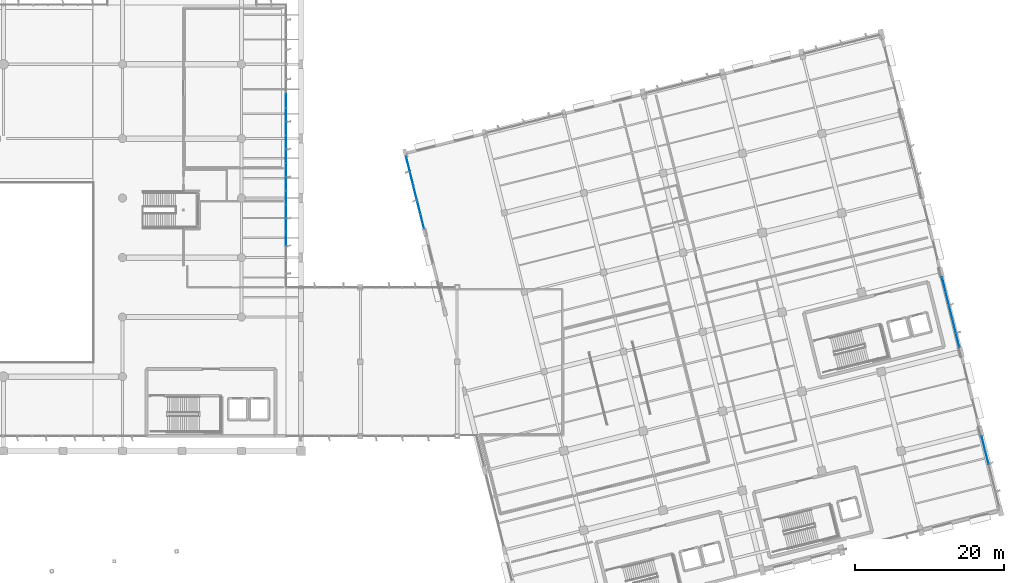
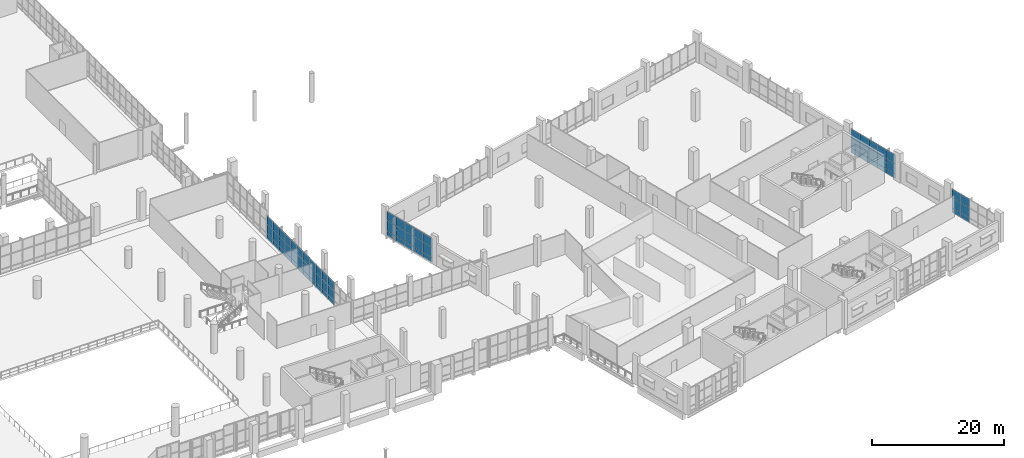
# One storey, part 129 of 176: 69 plates, 5 elements without a shape of their own.
"""IFC4 building model written with IfcOpenShell, lengths in metres."""

from ifc_helpers import new_model, si_unit, direction, frame, origin, origin_2d, place, context, subcontext, project, spatial, rectangle, extrude, material, layer, layer_set, type_object, element, aggregate, save


model = new_model("IFC4")

# Units and contexts
model_context = context("Model", 3, precision=1e-05, world=origin(), true_north=direction((0.0, 1.0)))
body_context = subcontext(model_context, "Body", "Model", "MODEL_VIEW")
ifc_project = project(units=[si_unit("LENGTHUNIT", "METRE"), si_unit("AREAUNIT", "SQUARE_METRE"), si_unit("VOLUMEUNIT", "CUBIC_METRE"), si_unit("PLANEANGLEUNIT", "RADIAN"), si_unit("MASSUNIT", "GRAM", prefix="KILO")], contexts=[model_context])

# Site, building, storey
site_placement = place(None, origin())
site = spatial("IfcSite", under=ifc_project, at=site_placement, CompositionType="ELEMENT")
building_placement = place(site_placement, origin())
building = spatial("IfcBuilding", under=site, at=building_placement, Name="Khorjan Park Terminus", CompositionType="ELEMENT")
storey_placement = place(building_placement, frame((0.0, 0.0, 6.0)))
storey = spatial("IfcBuildingStorey", under=building, at=storey_placement, Name="L01", CompositionType="ELEMENT", Elevation=6.0)

# Curtain wall, plates
ifc_material_1 = material(Name="Anodized Bronze Aluminium", Category="aluminium")
ifc_layer_1 = layer(ifc_material_1, 0.22)
ifc_layer_set_1 = layer_set([ifc_layer_1], Name="Anodized Bronze Aluminium")
curtain_wall_type_1 = type_object("IfcCurtainWallType", Name="CW-OPS-B", PredefinedType="NOTDEFINED", material=ifc_layer_set_1)
curtain_wall_1_placement = place(storey_placement, origin())
curtain_wall_1 = element("IfcCurtainWall", 1, at=curtain_wall_1_placement, inside=storey, type_object=curtain_wall_type_1, Name="Unitized curtain wall CW-B (CW-V5-E-L01-B03)", PredefinedType="NOTDEFINED")
ifc_material_2 = material(Name="Low-E Solar Control Double Glazing", Category="glass")
ifc_layer_2 = layer(ifc_material_2, 0.032)
ifc_layer_set_2 = layer_set([ifc_layer_2], Name="Low-E Solar Control Double Glazing")
plate_type_1 = type_object("IfcPlateType", Name="GL-VIS-32", PredefinedType="CURTAIN_PANEL", material=ifc_layer_set_2)
plate_1_placement = place(storey_placement, frame((224.3195, 40.9083, 0.85), z_axis=(0.0, 0.0, 1.0), x_axis=(-0.241922975976, 0.970295456907, 0.0)))
plate_1 = element("IfcPlate", 2, at=plate_1_placement, type_object=plate_type_1, Name="Curtain-wall panel VP-32 (CW-V5-E-L01-B03-0-2)", PredefinedType="CURTAIN_PANEL", context=body_context, shape_type="SweptSolid", body=[
    extrude(rectangle(XDim=1.9281, YDim=0.032, at=origin_2d()), origin(), (0.0, 0.0, 1.0), 1.8935),
])
plate_2_placement = place(storey_placement, frame((224.3195, 40.9083, 2.7434), z_axis=(0.0, 0.0, 1.0), x_axis=(-0.241922975976, 0.970295456907, 0.0)))
plate_2 = element("IfcPlate", 3, at=plate_2_placement, type_object=plate_type_1, Name="Curtain-wall panel VP-32 (CW-V5-E-L01-B03-0-3)", PredefinedType="CURTAIN_PANEL", context=body_context, shape_type="SweptSolid", body=[
    extrude(rectangle(XDim=1.9281, YDim=0.032, at=origin_2d()), origin(), (0.0, 0.0, 1.0), 1.6915),
])
plate_3_placement = place(storey_placement, frame((223.8531, 42.7792, 0.85), z_axis=(0.0, 0.0, 1.0), x_axis=(-0.241922975976, 0.970295456907, 0.0)))
plate_3 = element("IfcPlate", 4, at=plate_3_placement, type_object=plate_type_1, Name="Curtain-wall panel VP-32 (CW-V5-E-L01-B03-1-2)", PredefinedType="CURTAIN_PANEL", context=body_context, shape_type="SweptSolid", body=[
    extrude(rectangle(XDim=1.9281, YDim=0.032, at=origin_2d()), origin(), (0.0, 0.0, 1.0), 1.8935),
])
plate_4_placement = place(storey_placement, frame((223.8531, 42.7792, 2.7434), z_axis=(0.0, 0.0, 1.0), x_axis=(-0.241922975976, 0.970295456907, 0.0)))
plate_4 = element("IfcPlate", 5, at=plate_4_placement, type_object=plate_type_1, Name="Curtain-wall panel VP-32 (CW-V5-E-L01-B03-1-3)", PredefinedType="CURTAIN_PANEL", context=body_context, shape_type="SweptSolid", body=[
    extrude(rectangle(XDim=1.9281, YDim=0.032, at=origin_2d()), origin(), (0.0, 0.0, 1.0), 1.6915),
])
plate_5_placement = place(storey_placement, frame((223.3867, 44.6501, 0.85), z_axis=(0.0, 0.0, 1.0), x_axis=(-0.241922975976, 0.970295456907, 0.0)))
plate_5 = element("IfcPlate", 6, at=plate_5_placement, type_object=plate_type_1, Name="Curtain-wall panel VP-32 (CW-V5-E-L01-B03-2-2)", PredefinedType="CURTAIN_PANEL", context=body_context, shape_type="SweptSolid", body=[
    extrude(rectangle(XDim=1.9281, YDim=0.032, at=origin_2d()), origin(), (0.0, 0.0, 1.0), 1.8935),
])
plate_6_placement = place(storey_placement, frame((223.3867, 44.6501, 2.7434), z_axis=(0.0, 0.0, 1.0), x_axis=(-0.241922975976, 0.970295456907, 0.0)))
plate_6 = element("IfcPlate", 7, at=plate_6_placement, type_object=plate_type_1, Name="Curtain-wall panel VP-32 (CW-V5-E-L01-B03-2-3)", PredefinedType="CURTAIN_PANEL", context=body_context, shape_type="SweptSolid", body=[
    extrude(rectangle(XDim=1.9281, YDim=0.032, at=origin_2d()), origin(), (0.0, 0.0, 1.0), 1.6915),
])
plate_7_placement = place(storey_placement, frame((222.9202, 46.5209, 0.85), z_axis=(0.0, 0.0, 1.0), x_axis=(-0.241922975976, 0.970295456907, 0.0)))
plate_7 = element("IfcPlate", 8, at=plate_7_placement, type_object=plate_type_1, Name="Curtain-wall panel VP-32 (CW-V5-E-L01-B03-3-2)", PredefinedType="CURTAIN_PANEL", context=body_context, shape_type="SweptSolid", body=[
    extrude(rectangle(XDim=1.9281, YDim=0.032, at=origin_2d()), origin(), (0.0, 0.0, 1.0), 1.8935),
])
plate_8_placement = place(storey_placement, frame((222.9202, 46.5209, 2.7434), z_axis=(0.0, 0.0, 1.0), x_axis=(-0.241922975976, 0.970295456907, 0.0)))
plate_8 = element("IfcPlate", 9, at=plate_8_placement, type_object=plate_type_1, Name="Curtain-wall panel VP-32 (CW-V5-E-L01-B03-3-3)", PredefinedType="CURTAIN_PANEL", context=body_context, shape_type="SweptSolid", body=[
    extrude(rectangle(XDim=1.9281, YDim=0.032, at=origin_2d()), origin(), (0.0, 0.0, 1.0), 1.6915),
])
plate_9_placement = place(storey_placement, frame((222.4538, 48.3918, 0.85), z_axis=(0.0, 0.0, 1.0), x_axis=(-0.241922975976, 0.970295456907, 0.0)))
plate_9 = element("IfcPlate", 10, at=plate_9_placement, type_object=plate_type_1, Name="Curtain-wall panel VP-32 (CW-V5-E-L01-B03-4-2)", PredefinedType="CURTAIN_PANEL", context=body_context, shape_type="SweptSolid", body=[
    extrude(rectangle(XDim=1.9281, YDim=0.032, at=origin_2d()), origin(), (0.0, 0.0, 1.0), 1.8935),
])
plate_10_placement = place(storey_placement, frame((222.4538, 48.3918, 2.7434), z_axis=(0.0, 0.0, 1.0), x_axis=(-0.241922975976, 0.970295456907, 0.0)))
plate_10 = element("IfcPlate", 11, at=plate_10_placement, type_object=plate_type_1, Name="Curtain-wall panel VP-32 (CW-V5-E-L01-B03-4-3)", PredefinedType="CURTAIN_PANEL", context=body_context, shape_type="SweptSolid", body=[
    extrude(rectangle(XDim=1.9281, YDim=0.032, at=origin_2d()), origin(), (0.0, 0.0, 1.0), 1.6915),
])

curtain_wall_2_placement = place(storey_placement, origin())
curtain_wall_2 = element("IfcCurtainWall", 12, at=curtain_wall_2_placement, inside=storey, type_object=curtain_wall_type_1, Name="Unitized curtain wall CW-B (CW-V5-E-L01-B01)", PredefinedType="NOTDEFINED")
ifc_material_3 = material(Name="Acoustic Laminated Solar Glazing", Category="glass")
ifc_layer_3 = layer(ifc_material_3, 0.036)
ifc_layer_set_3 = layer_set([ifc_layer_3], Name="Acoustic Laminated Solar Glazing")
plate_type_2 = type_object("IfcPlateType", Name="GL-VIS-36", PredefinedType="CURTAIN_PANEL", material=ifc_layer_set_3)
plate_11_placement = place(storey_placement, frame((228.2425, 25.1743, 0.8499), z_axis=(0.0, 0.0, 1.0), x_axis=(-0.241920488516, 0.9702960771, 0.0)))
plate_11 = element("IfcPlate", 13, at=plate_11_placement, type_object=plate_type_2, Name="Curtain-wall panel VP-36 (CW-V5-E-L01-B01-3-2)", PredefinedType="CURTAIN_PANEL", context=body_context, shape_type="SweptSolid", body=[
    extrude(rectangle(XDim=1.928, YDim=0.036, at=origin_2d()), origin(), (0.0, 0.0, 1.0), 1.8687),
])
plate_12_placement = place(storey_placement, frame((228.2425, 25.1743, 2.7188), z_axis=(0.0, 0.0, 1.0), x_axis=(-0.241920488516, 0.9702960771, 0.0)))
plate_12 = element("IfcPlate", 14, at=plate_12_placement, type_object=plate_type_2, Name="Curtain-wall panel VP-36 (CW-V5-E-L01-B01-3-3)", PredefinedType="CURTAIN_PANEL", context=body_context, shape_type="SweptSolid", body=[
    extrude(rectangle(XDim=1.928, YDim=0.036, at=origin_2d()), origin(), (0.0, 0.0, 1.0), 1.6763),
])
plate_13_placement = place(storey_placement, frame((227.7761, 27.045, 0.8499), z_axis=(0.0, 0.0, 1.0), x_axis=(-0.241920488516, 0.9702960771, 0.0)))
plate_13 = element("IfcPlate", 15, at=plate_13_placement, type_object=plate_type_2, Name="Curtain-wall panel VP-36 (CW-V5-E-L01-B01-4-2)", PredefinedType="CURTAIN_PANEL", context=body_context, shape_type="SweptSolid", body=[
    extrude(rectangle(XDim=1.928, YDim=0.036, at=origin_2d()), origin(), (0.0, 0.0, 1.0), 1.8687),
])
plate_14_placement = place(storey_placement, frame((227.7761, 27.045, 2.7188), z_axis=(0.0, 0.0, 1.0), x_axis=(-0.241920488516, 0.9702960771, 0.0)))
plate_14 = element("IfcPlate", 16, at=plate_14_placement, type_object=plate_type_2, Name="Curtain-wall panel VP-36 (CW-V5-E-L01-B01-4-3)", PredefinedType="CURTAIN_PANEL", context=body_context, shape_type="SweptSolid", body=[
    extrude(rectangle(XDim=1.928, YDim=0.036, at=origin_2d()), origin(), (0.0, 0.0, 1.0), 1.6763),
])

curtain_wall_3_placement = place(storey_placement, origin())
curtain_wall_3 = element("IfcCurtainWall", 17, at=curtain_wall_3_placement, inside=storey, type_object=curtain_wall_type_1, Name="Unitized curtain wall CW-B (CW-V5-W-L01-B01)", PredefinedType="NOTDEFINED")
plate_15_placement = place(storey_placement, frame((150.4018, 64.5613, 0.8501), z_axis=(0.0, 0.0, 1.0), x_axis=(0.241913063893, -0.970297928225, 0.0)))
plate_15 = element("IfcPlate", 18, at=plate_15_placement, type_object=plate_type_2, Name="Curtain-wall panel VP-36 (CW-V5-W-L01-B01-0-2)", PredefinedType="CURTAIN_PANEL", context=body_context, shape_type="SweptSolid", body=[
    extrude(rectangle(XDim=1.9882, YDim=0.036, at=origin_2d()), origin(), (0.0, 0.0, 1.0), 1.9431),
])
plate_16_placement = place(storey_placement, frame((150.4018, 64.5613, 2.7931), z_axis=(0.0, 0.0, 1.0), x_axis=(0.241913063893, -0.970297928225, 0.0)))
plate_16 = element("IfcPlate", 19, at=plate_16_placement, type_object=plate_type_2, Name="Curtain-wall panel VP-36 (CW-V5-W-L01-B01-0-3)", PredefinedType="CURTAIN_PANEL", context=body_context, shape_type="SweptSolid", body=[
    extrude(rectangle(XDim=1.9882, YDim=0.036, at=origin_2d()), origin(), (0.0, 0.0, 1.0), 1.7219),
])
plate_17_placement = place(storey_placement, frame((150.8827, 62.6321, 0.8501), z_axis=(0.0, 0.0, 1.0), x_axis=(0.241913063893, -0.970297928225, 0.0)))
plate_17 = element("IfcPlate", 20, at=plate_17_placement, type_object=plate_type_2, Name="Curtain-wall panel VP-36 (CW-V5-W-L01-B01-1-2)", PredefinedType="CURTAIN_PANEL", context=body_context, shape_type="SweptSolid", body=[
    extrude(rectangle(XDim=1.9882, YDim=0.036, at=origin_2d()), origin(), (0.0, 0.0, 1.0), 1.9431),
])
plate_18_placement = place(storey_placement, frame((150.8827, 62.6321, 2.7931), z_axis=(0.0, 0.0, 1.0), x_axis=(0.241913063893, -0.970297928225, 0.0)))
plate_18 = element("IfcPlate", 21, at=plate_18_placement, type_object=plate_type_2, Name="Curtain-wall panel VP-36 (CW-V5-W-L01-B01-1-3)", PredefinedType="CURTAIN_PANEL", context=body_context, shape_type="SweptSolid", body=[
    extrude(rectangle(XDim=1.9882, YDim=0.036, at=origin_2d()), origin(), (0.0, 0.0, 1.0), 1.7219),
])
plate_19_placement = place(storey_placement, frame((151.3637, 60.7031, 0.8501), z_axis=(0.0, 0.0, 1.0), x_axis=(0.241913063893, -0.970297928225, 0.0)))
plate_19 = element("IfcPlate", 22, at=plate_19_placement, type_object=plate_type_2, Name="Curtain-wall panel VP-36 (CW-V5-W-L01-B01-2-2)", PredefinedType="CURTAIN_PANEL", context=body_context, shape_type="SweptSolid", body=[
    extrude(rectangle(XDim=1.9882, YDim=0.036, at=origin_2d()), origin(), (0.0, 0.0, 1.0), 1.9431),
])
plate_20_placement = place(storey_placement, frame((151.3637, 60.7031, 2.7931), z_axis=(0.0, 0.0, 1.0), x_axis=(0.241913063893, -0.970297928225, 0.0)))
plate_20 = element("IfcPlate", 23, at=plate_20_placement, type_object=plate_type_2, Name="Curtain-wall panel VP-36 (CW-V5-W-L01-B01-2-3)", PredefinedType="CURTAIN_PANEL", context=body_context, shape_type="SweptSolid", body=[
    extrude(rectangle(XDim=1.9882, YDim=0.036, at=origin_2d()), origin(), (0.0, 0.0, 1.0), 1.7219),
])
plate_21_placement = place(storey_placement, frame((151.8447, 58.7739, 0.8501), z_axis=(0.0, 0.0, 1.0), x_axis=(0.241913063893, -0.970297928225, 0.0)))
plate_21 = element("IfcPlate", 24, at=plate_21_placement, type_object=plate_type_2, Name="Curtain-wall panel VP-36 (CW-V5-W-L01-B01-3-2)", PredefinedType="CURTAIN_PANEL", context=body_context, shape_type="SweptSolid", body=[
    extrude(rectangle(XDim=1.9882, YDim=0.036, at=origin_2d()), origin(), (0.0, 0.0, 1.0), 1.9431),
])
plate_22_placement = place(storey_placement, frame((151.8447, 58.7739, 2.7931), z_axis=(0.0, 0.0, 1.0), x_axis=(0.241913063893, -0.970297928225, 0.0)))
plate_22 = element("IfcPlate", 25, at=plate_22_placement, type_object=plate_type_2, Name="Curtain-wall panel VP-36 (CW-V5-W-L01-B01-3-3)", PredefinedType="CURTAIN_PANEL", context=body_context, shape_type="SweptSolid", body=[
    extrude(rectangle(XDim=1.9882, YDim=0.036, at=origin_2d()), origin(), (0.0, 0.0, 1.0), 1.7219),
])
plate_23_placement = place(storey_placement, frame((152.3256, 56.8448, 0.8501), z_axis=(0.0, 0.0, 1.0), x_axis=(0.241913063893, -0.970297928225, 0.0)))
plate_23 = element("IfcPlate", 26, at=plate_23_placement, type_object=plate_type_2, Name="Curtain-wall panel VP-36 (CW-V5-W-L01-B01-4-2)", PredefinedType="CURTAIN_PANEL", context=body_context, shape_type="SweptSolid", body=[
    extrude(rectangle(XDim=1.9882, YDim=0.036, at=origin_2d()), origin(), (0.0, 0.0, 1.0), 1.9431),
])
plate_24_placement = place(storey_placement, frame((152.3256, 56.8448, 2.7931), z_axis=(0.0, 0.0, 1.0), x_axis=(0.241913063893, -0.970297928225, 0.0)))
plate_24 = element("IfcPlate", 27, at=plate_24_placement, type_object=plate_type_2, Name="Curtain-wall panel VP-36 (CW-V5-W-L01-B01-4-3)", PredefinedType="CURTAIN_PANEL", context=body_context, shape_type="SweptSolid", body=[
    extrude(rectangle(XDim=1.9882, YDim=0.036, at=origin_2d()), origin(), (0.0, 0.0, 1.0), 1.7219),
])

ifc_layer_4 = layer(ifc_material_1, 0.22)
ifc_layer_set_4 = layer_set([ifc_layer_4], Name="Anodized Bronze Aluminium")
curtain_wall_type_2 = type_object("IfcCurtainWallType", Name="CW-CONC-A", PredefinedType="NOTDEFINED", material=ifc_layer_set_4)
curtain_wall_4_placement = place(storey_placement, origin())
curtain_wall_4 = element("IfcCurtainWall", 28, at=curtain_wall_4_placement, inside=storey, type_object=curtain_wall_type_2, Name="Unitized curtain wall CW-A (CW-V2-E-L01-02)", PredefinedType="NOTDEFINED")
ifc_material_4 = material(Name="Triple Low-E High-Selectivity Glazing", Category="glass")
ifc_layer_5 = layer(ifc_material_4, 0.04)
ifc_layer_set_5 = layer_set([ifc_layer_5], Name="Triple Low-E High-Selectivity Glazing")
plate_type_3 = type_object("IfcPlateType", Name="GL-VIS-40", PredefinedType="CURTAIN_PANEL", material=ifc_layer_set_5)
plate_25_placement = place(storey_placement, frame((134.0, 54.5, 0.85), z_axis=(0.0, 0.0, 1.0), x_axis=(0.0, 1.0, 0.0)))
plate_25 = element("IfcPlate", 29, at=plate_25_placement, type_object=plate_type_3, Name="Curtain-wall panel VP-40 (CW-V2-E-L01-02-3-2)", PredefinedType="CURTAIN_PANEL", context=body_context, shape_type="SweptSolid", body=[
    extrude(rectangle(XDim=1.8571, YDim=0.04, at=origin_2d()), origin(), (0.0, 0.0, 1.0), 1.7633),
])
plate_26_placement = place(storey_placement, frame((134.0, 54.5, 2.6134), z_axis=(0.0, 0.0, 1.0), x_axis=(0.0, 1.0, 0.0)))
plate_26 = element("IfcPlate", 30, at=plate_26_placement, type_object=plate_type_3, Name="Curtain-wall panel VP-40 (CW-V2-E-L01-02-3-3)", PredefinedType="CURTAIN_PANEL", context=body_context, shape_type="SweptSolid", body=[
    extrude(rectangle(XDim=1.8571, YDim=0.04, at=origin_2d()), origin(), (0.0, 0.0, 1.0), 1.6117),
])
plate_27_placement = place(storey_placement, frame((134.0, 56.3572, 0.85), z_axis=(0.0, 0.0, 1.0), x_axis=(0.0, 1.0, 0.0)))
plate_27 = element("IfcPlate", 31, at=plate_27_placement, type_object=plate_type_3, Name="Curtain-wall panel VP-40 (CW-V2-E-L01-02-4-2)", PredefinedType="CURTAIN_PANEL", context=body_context, shape_type="SweptSolid", body=[
    extrude(rectangle(XDim=1.8571, YDim=0.04, at=origin_2d()), origin(), (0.0, 0.0, 1.0), 1.7633),
])
plate_28_placement = place(storey_placement, frame((134.0, 56.3572, 2.6134), z_axis=(0.0, 0.0, 1.0), x_axis=(0.0, 1.0, 0.0)))
plate_28 = element("IfcPlate", 32, at=plate_28_placement, type_object=plate_type_3, Name="Curtain-wall panel VP-40 (CW-V2-E-L01-02-4-3)", PredefinedType="CURTAIN_PANEL", context=body_context, shape_type="SweptSolid", body=[
    extrude(rectangle(XDim=1.8571, YDim=0.04, at=origin_2d()), origin(), (0.0, 0.0, 1.0), 1.6117),
])
plate_29_placement = place(storey_placement, frame((134.0, 58.2143, 0.85), z_axis=(0.0, 0.0, 1.0), x_axis=(0.0, 1.0, 0.0)))
plate_29 = element("IfcPlate", 33, at=plate_29_placement, type_object=plate_type_3, Name="Curtain-wall panel VP-40 (CW-V2-E-L01-02-5-2)", PredefinedType="CURTAIN_PANEL", context=body_context, shape_type="SweptSolid", body=[
    extrude(rectangle(XDim=1.8571, YDim=0.04, at=origin_2d()), origin(), (0.0, 0.0, 1.0), 1.7633),
])
plate_30_placement = place(storey_placement, frame((134.0, 58.2143, 2.6134), z_axis=(0.0, 0.0, 1.0), x_axis=(0.0, 1.0, 0.0)))
plate_30 = element("IfcPlate", 34, at=plate_30_placement, type_object=plate_type_3, Name="Curtain-wall panel VP-40 (CW-V2-E-L01-02-5-3)", PredefinedType="CURTAIN_PANEL", context=body_context, shape_type="SweptSolid", body=[
    extrude(rectangle(XDim=1.8571, YDim=0.04, at=origin_2d()), origin(), (0.0, 0.0, 1.0), 1.6117),
])
plate_31_placement = place(storey_placement, frame((134.0, 60.0714, 0.85), z_axis=(0.0, 0.0, 1.0), x_axis=(0.0, 1.0, 0.0)))
plate_31 = element("IfcPlate", 35, at=plate_31_placement, type_object=plate_type_3, Name="Curtain-wall panel VP-40 (CW-V2-E-L01-02-6-2)", PredefinedType="CURTAIN_PANEL", context=body_context, shape_type="SweptSolid", body=[
    extrude(rectangle(XDim=1.8571, YDim=0.04, at=origin_2d()), origin(), (0.0, 0.0, 1.0), 1.7633),
])
plate_32_placement = place(storey_placement, frame((134.0, 60.0714, 2.6134), z_axis=(0.0, 0.0, 1.0), x_axis=(0.0, 1.0, 0.0)))
plate_32 = element("IfcPlate", 36, at=plate_32_placement, type_object=plate_type_3, Name="Curtain-wall panel VP-40 (CW-V2-E-L01-02-6-3)", PredefinedType="CURTAIN_PANEL", context=body_context, shape_type="SweptSolid", body=[
    extrude(rectangle(XDim=1.8571, YDim=0.04, at=origin_2d()), origin(), (0.0, 0.0, 1.0), 1.6117),
])

curtain_wall_5_placement = place(storey_placement, origin())
curtain_wall_5 = element("IfcCurtainWall", 37, at=curtain_wall_5_placement, inside=storey, type_object=curtain_wall_type_2, Name="Unitized curtain wall CW-A (CW-V2-E-L01-03)", PredefinedType="NOTDEFINED")
plate_33_placement = place(storey_placement, frame((134.0, 61.9286, 0.8499), z_axis=(0.0, 0.0, 1.0), x_axis=(0.0, 1.0, 0.0)))
plate_33 = element("IfcPlate", 38, at=plate_33_placement, type_object=plate_type_3, Name="Curtain-wall panel VP-40 (CW-V2-E-L01-03-0-2)", PredefinedType="CURTAIN_PANEL", context=body_context, shape_type="SweptSolid", body=[
    extrude(rectangle(XDim=1.8571, YDim=0.04, at=origin_2d()), origin(), (0.0, 0.0, 1.0), 1.7943),
])
plate_34_placement = place(storey_placement, frame((134.0, 61.9286, 2.6442), z_axis=(0.0, 0.0, 1.0), x_axis=(0.0, 1.0, 0.0)))
plate_34 = element("IfcPlate", 39, at=plate_34_placement, type_object=plate_type_3, Name="Curtain-wall panel VP-40 (CW-V2-E-L01-03-0-3)", PredefinedType="CURTAIN_PANEL", context=body_context, shape_type="SweptSolid", body=[
    extrude(rectangle(XDim=1.8571, YDim=0.04, at=origin_2d()), origin(), (0.0, 0.0, 1.0), 1.6307),
])
plate_35_placement = place(storey_placement, frame((134.0, 63.7857, 0.8499), z_axis=(0.0, 0.0, 1.0), x_axis=(0.0, 1.0, 0.0)))
plate_35 = element("IfcPlate", 40, at=plate_35_placement, type_object=plate_type_3, Name="Curtain-wall panel VP-40 (CW-V2-E-L01-03-1-2)", PredefinedType="CURTAIN_PANEL", context=body_context, shape_type="SweptSolid", body=[
    extrude(rectangle(XDim=1.8571, YDim=0.04, at=origin_2d()), origin(), (0.0, 0.0, 1.0), 1.7943),
])
plate_36_placement = place(storey_placement, frame((134.0, 63.7857, 2.6442), z_axis=(0.0, 0.0, 1.0), x_axis=(0.0, 1.0, 0.0)))
plate_36 = element("IfcPlate", 41, at=plate_36_placement, type_object=plate_type_3, Name="Curtain-wall panel VP-40 (CW-V2-E-L01-03-1-3)", PredefinedType="CURTAIN_PANEL", context=body_context, shape_type="SweptSolid", body=[
    extrude(rectangle(XDim=1.8571, YDim=0.04, at=origin_2d()), origin(), (0.0, 0.0, 1.0), 1.6307),
])
plate_37_placement = place(storey_placement, frame((134.0, 65.6428, 0.8499), z_axis=(0.0, 0.0, 1.0), x_axis=(0.0, 1.0, 0.0)))
plate_37 = element("IfcPlate", 42, at=plate_37_placement, type_object=plate_type_3, Name="Curtain-wall panel VP-40 (CW-V2-E-L01-03-2-2)", PredefinedType="CURTAIN_PANEL", context=body_context, shape_type="SweptSolid", body=[
    extrude(rectangle(XDim=1.8571, YDim=0.04, at=origin_2d()), origin(), (0.0, 0.0, 1.0), 1.7943),
])
plate_38_placement = place(storey_placement, frame((134.0, 65.6428, 2.6442), z_axis=(0.0, 0.0, 1.0), x_axis=(0.0, 1.0, 0.0)))
plate_38 = element("IfcPlate", 43, at=plate_38_placement, type_object=plate_type_3, Name="Curtain-wall panel VP-40 (CW-V2-E-L01-03-2-3)", PredefinedType="CURTAIN_PANEL", context=body_context, shape_type="SweptSolid", body=[
    extrude(rectangle(XDim=1.8571, YDim=0.04, at=origin_2d()), origin(), (0.0, 0.0, 1.0), 1.6307),
])
plate_39_placement = place(storey_placement, frame((134.0, 67.5, 0.8499), z_axis=(0.0, 0.0, 1.0), x_axis=(0.0, 1.0, 0.0)))
plate_39 = element("IfcPlate", 44, at=plate_39_placement, type_object=plate_type_3, Name="Curtain-wall panel VP-40 (CW-V2-E-L01-03-3-2)", PredefinedType="CURTAIN_PANEL", context=body_context, shape_type="SweptSolid", body=[
    extrude(rectangle(XDim=1.8571, YDim=0.04, at=origin_2d()), origin(), (0.0, 0.0, 1.0), 1.7943),
])
plate_40_placement = place(storey_placement, frame((134.0, 67.5, 2.6442), z_axis=(0.0, 0.0, 1.0), x_axis=(0.0, 1.0, 0.0)))
plate_40 = element("IfcPlate", 45, at=plate_40_placement, type_object=plate_type_3, Name="Curtain-wall panel VP-40 (CW-V2-E-L01-03-3-3)", PredefinedType="CURTAIN_PANEL", context=body_context, shape_type="SweptSolid", body=[
    extrude(rectangle(XDim=1.8571, YDim=0.04, at=origin_2d()), origin(), (0.0, 0.0, 1.0), 1.6307),
])
plate_41_placement = place(storey_placement, frame((134.0, 69.3572, 0.8499), z_axis=(0.0, 0.0, 1.0), x_axis=(0.0, 1.0, 0.0)))
plate_41 = element("IfcPlate", 46, at=plate_41_placement, type_object=plate_type_3, Name="Curtain-wall panel VP-40 (CW-V2-E-L01-03-4-2)", PredefinedType="CURTAIN_PANEL", context=body_context, shape_type="SweptSolid", body=[
    extrude(rectangle(XDim=1.8571, YDim=0.04, at=origin_2d()), origin(), (0.0, 0.0, 1.0), 1.7943),
])
plate_42_placement = place(storey_placement, frame((134.0, 69.3572, 2.6442), z_axis=(0.0, 0.0, 1.0), x_axis=(0.0, 1.0, 0.0)))
plate_42 = element("IfcPlate", 47, at=plate_42_placement, type_object=plate_type_3, Name="Curtain-wall panel VP-40 (CW-V2-E-L01-03-4-3)", PredefinedType="CURTAIN_PANEL", context=body_context, shape_type="SweptSolid", body=[
    extrude(rectangle(XDim=1.8571, YDim=0.04, at=origin_2d()), origin(), (0.0, 0.0, 1.0), 1.6307),
])
plate_43_placement = place(storey_placement, frame((134.0, 71.2143, 0.8499), z_axis=(0.0, 0.0, 1.0), x_axis=(0.0, 1.0, 0.0)))
plate_43 = element("IfcPlate", 48, at=plate_43_placement, type_object=plate_type_3, Name="Curtain-wall panel VP-40 (CW-V2-E-L01-03-5-2)", PredefinedType="CURTAIN_PANEL", context=body_context, shape_type="SweptSolid", body=[
    extrude(rectangle(XDim=1.8571, YDim=0.04, at=origin_2d()), origin(), (0.0, 0.0, 1.0), 1.7943),
])
plate_44_placement = place(storey_placement, frame((134.0, 71.2143, 2.6442), z_axis=(0.0, 0.0, 1.0), x_axis=(0.0, 1.0, 0.0)))
plate_44 = element("IfcPlate", 49, at=plate_44_placement, type_object=plate_type_3, Name="Curtain-wall panel VP-40 (CW-V2-E-L01-03-5-3)", PredefinedType="CURTAIN_PANEL", context=body_context, shape_type="SweptSolid", body=[
    extrude(rectangle(XDim=1.8571, YDim=0.04, at=origin_2d()), origin(), (0.0, 0.0, 1.0), 1.6307),
])
plate_45_placement = place(storey_placement, frame((134.0, 73.0714, 0.8499), z_axis=(0.0, 0.0, 1.0), x_axis=(0.0, 1.0, 0.0)))
plate_45 = element("IfcPlate", 50, at=plate_45_placement, type_object=plate_type_3, Name="Curtain-wall panel VP-40 (CW-V2-E-L01-03-6-2)", PredefinedType="CURTAIN_PANEL", context=body_context, shape_type="SweptSolid", body=[
    extrude(rectangle(XDim=1.8571, YDim=0.04, at=origin_2d()), origin(), (0.0, 0.0, 1.0), 1.7943),
])
plate_46_placement = place(storey_placement, frame((134.0, 73.0714, 2.6442), z_axis=(0.0, 0.0, 1.0), x_axis=(0.0, 1.0, 0.0)))
plate_46 = element("IfcPlate", 51, at=plate_46_placement, type_object=plate_type_3, Name="Curtain-wall panel VP-40 (CW-V2-E-L01-03-6-3)", PredefinedType="CURTAIN_PANEL", context=body_context, shape_type="SweptSolid", body=[
    extrude(rectangle(XDim=1.8571, YDim=0.04, at=origin_2d()), origin(), (0.0, 0.0, 1.0), 1.6307),
])

# Plate
ifc_material_5 = material(Name="Insulated Anodized Bronze Spandrel Panel")
ifc_layer_6 = layer(ifc_material_5, 0.045)
ifc_layer_set_6 = layer_set([ifc_layer_6], Name="Insulated Anodized Bronze Spandrel Panel")
plate_type_4 = type_object("IfcPlateType", Name="SP-AL-45", PredefinedType="CURTAIN_PANEL", material=ifc_layer_set_6)
plate_47_placement = place(storey_placement, frame((134.0, 54.5, -0.01), z_axis=(0.0, 0.0, 1.0), x_axis=(0.0, 1.0, 0.0)))
plate_47 = element("IfcPlate", 52, at=plate_47_placement, type_object=plate_type_4, Name="Curtain-wall panel SP-A45 (CW-V2-E-L01-02-3-1)", PredefinedType="CURTAIN_PANEL", context=body_context, shape_type="SweptSolid", body=[
    extrude(rectangle(XDim=1.8571, YDim=0.045, at=origin_2d()), origin(), (0.0, 0.0, 1.0), 0.86),
])

plate_48_placement = place(storey_placement, frame((134.0, 56.3572, -0.01), z_axis=(0.0, 0.0, 1.0), x_axis=(0.0, 1.0, 0.0)))
plate_48 = element("IfcPlate", 53, at=plate_48_placement, type_object=plate_type_4, Name="Curtain-wall panel SP-A45 (CW-V2-E-L01-02-4-1)", PredefinedType="CURTAIN_PANEL", context=body_context, shape_type="SweptSolid", body=[
    extrude(rectangle(XDim=1.8571, YDim=0.045, at=origin_2d()), origin(), (0.0, 0.0, 1.0), 0.86),
])

plate_49_placement = place(storey_placement, frame((134.0, 58.2143, -0.01), z_axis=(0.0, 0.0, 1.0), x_axis=(0.0, 1.0, 0.0)))
plate_49 = element("IfcPlate", 54, at=plate_49_placement, type_object=plate_type_4, Name="Curtain-wall panel SP-A45 (CW-V2-E-L01-02-5-1)", PredefinedType="CURTAIN_PANEL", context=body_context, shape_type="SweptSolid", body=[
    extrude(rectangle(XDim=1.8571, YDim=0.045, at=origin_2d()), origin(), (0.0, 0.0, 1.0), 0.86),
])

plate_50_placement = place(storey_placement, frame((134.0, 60.0714, -0.01), z_axis=(0.0, 0.0, 1.0), x_axis=(0.0, 1.0, 0.0)))
plate_50 = element("IfcPlate", 55, at=plate_50_placement, type_object=plate_type_4, Name="Curtain-wall panel SP-A45 (CW-V2-E-L01-02-6-1)", PredefinedType="CURTAIN_PANEL", context=body_context, shape_type="SweptSolid", body=[
    extrude(rectangle(XDim=1.8571, YDim=0.045, at=origin_2d()), origin(), (0.0, 0.0, 1.0), 0.86),
])

aggregate(curtain_wall_4, [plate_47, plate_25, plate_26, plate_48, plate_27, plate_28, plate_49, plate_29, plate_30, plate_50, plate_31, plate_32])

plate_51_placement = place(storey_placement, frame((134.0, 61.9286, -0.01), z_axis=(0.0, 0.0, 1.0), x_axis=(0.0, 1.0, 0.0)))
plate_51 = element("IfcPlate", 56, at=plate_51_placement, type_object=plate_type_4, Name="Curtain-wall panel SP-A45 (CW-V2-E-L01-03-0-1)", PredefinedType="CURTAIN_PANEL", context=body_context, shape_type="SweptSolid", body=[
    extrude(rectangle(XDim=1.8571, YDim=0.045, at=origin_2d()), origin(), (0.0, 0.0, 1.0), 0.86),
])

plate_52_placement = place(storey_placement, frame((134.0, 63.7857, -0.01), z_axis=(0.0, 0.0, 1.0), x_axis=(0.0, 1.0, 0.0)))
plate_52 = element("IfcPlate", 57, at=plate_52_placement, type_object=plate_type_4, Name="Curtain-wall panel SP-A45 (CW-V2-E-L01-03-1-1)", PredefinedType="CURTAIN_PANEL", context=body_context, shape_type="SweptSolid", body=[
    extrude(rectangle(XDim=1.8571, YDim=0.045, at=origin_2d()), origin(), (0.0, 0.0, 1.0), 0.86),
])

plate_53_placement = place(storey_placement, frame((134.0, 65.6428, -0.01), z_axis=(0.0, 0.0, 1.0), x_axis=(0.0, 1.0, 0.0)))
plate_53 = element("IfcPlate", 58, at=plate_53_placement, type_object=plate_type_4, Name="Curtain-wall panel SP-A45 (CW-V2-E-L01-03-2-1)", PredefinedType="CURTAIN_PANEL", context=body_context, shape_type="SweptSolid", body=[
    extrude(rectangle(XDim=1.8571, YDim=0.045, at=origin_2d()), origin(), (0.0, 0.0, 1.0), 0.86),
])

plate_54_placement = place(storey_placement, frame((134.0, 67.5, -0.01), z_axis=(0.0, 0.0, 1.0), x_axis=(0.0, 1.0, 0.0)))
plate_54 = element("IfcPlate", 59, at=plate_54_placement, type_object=plate_type_4, Name="Curtain-wall panel SP-A45 (CW-V2-E-L01-03-3-1)", PredefinedType="CURTAIN_PANEL", context=body_context, shape_type="SweptSolid", body=[
    extrude(rectangle(XDim=1.8571, YDim=0.045, at=origin_2d()), origin(), (0.0, 0.0, 1.0), 0.86),
])

plate_55_placement = place(storey_placement, frame((134.0, 69.3572, -0.01), z_axis=(0.0, 0.0, 1.0), x_axis=(0.0, 1.0, 0.0)))
plate_55 = element("IfcPlate", 60, at=plate_55_placement, type_object=plate_type_4, Name="Curtain-wall panel SP-A45 (CW-V2-E-L01-03-4-1)", PredefinedType="CURTAIN_PANEL", context=body_context, shape_type="SweptSolid", body=[
    extrude(rectangle(XDim=1.8571, YDim=0.045, at=origin_2d()), origin(), (0.0, 0.0, 1.0), 0.86),
])

plate_56_placement = place(storey_placement, frame((134.0, 71.2143, -0.01), z_axis=(0.0, 0.0, 1.0), x_axis=(0.0, 1.0, 0.0)))
plate_56 = element("IfcPlate", 61, at=plate_56_placement, type_object=plate_type_4, Name="Curtain-wall panel SP-A45 (CW-V2-E-L01-03-5-1)", PredefinedType="CURTAIN_PANEL", context=body_context, shape_type="SweptSolid", body=[
    extrude(rectangle(XDim=1.8571, YDim=0.045, at=origin_2d()), origin(), (0.0, 0.0, 1.0), 0.86),
])

plate_57_placement = place(storey_placement, frame((134.0, 73.0714, -0.01), z_axis=(0.0, 0.0, 1.0), x_axis=(0.0, 1.0, 0.0)))
plate_57 = element("IfcPlate", 62, at=plate_57_placement, type_object=plate_type_4, Name="Curtain-wall panel SP-A45 (CW-V2-E-L01-03-6-1)", PredefinedType="CURTAIN_PANEL", context=body_context, shape_type="SweptSolid", body=[
    extrude(rectangle(XDim=1.8571, YDim=0.045, at=origin_2d()), origin(), (0.0, 0.0, 1.0), 0.86),
])

aggregate(curtain_wall_5, [plate_51, plate_33, plate_34, plate_52, plate_35, plate_36, plate_53, plate_37, plate_38, plate_54, plate_39, plate_40, plate_55, plate_41, plate_42, plate_56, plate_43, plate_44, plate_57, plate_45, plate_46])

ifc_material_6 = material(Name="Insulated Bronze-Composite Spandrel Panel")
ifc_layer_7 = layer(ifc_material_6, 0.055)
ifc_layer_set_7 = layer_set([ifc_layer_7], Name="Insulated Bronze-Composite Spandrel Panel")
plate_type_5 = type_object("IfcPlateType", Name="SP-AL-55", PredefinedType="CURTAIN_PANEL", material=ifc_layer_set_7)
plate_58_placement = place(storey_placement, frame((228.2425, 25.1743, -0.01), z_axis=(0.0, 0.0, 1.0), x_axis=(-0.241920488516, 0.9702960771, 0.0)))
plate_58 = element("IfcPlate", 63, at=plate_58_placement, type_object=plate_type_5, Name="Curtain-wall panel SP-A55 (CW-V5-E-L01-B01-3-1)", PredefinedType="CURTAIN_PANEL", context=body_context, shape_type="SweptSolid", body=[
    extrude(rectangle(XDim=1.928, YDim=0.055, at=origin_2d()), origin(), (0.0, 0.0, 1.0), 0.86),
])

plate_59_placement = place(storey_placement, frame((227.7761, 27.045, -0.01), z_axis=(0.0, 0.0, 1.0), x_axis=(-0.241920488516, 0.9702960771, 0.0)))
plate_59 = element("IfcPlate", 64, at=plate_59_placement, type_object=plate_type_5, Name="Curtain-wall panel SP-A55 (CW-V5-E-L01-B01-4-1)", PredefinedType="CURTAIN_PANEL", context=body_context, shape_type="SweptSolid", body=[
    extrude(rectangle(XDim=1.928, YDim=0.055, at=origin_2d()), origin(), (0.0, 0.0, 1.0), 0.86),
])

aggregate(curtain_wall_2, [plate_58, plate_11, plate_12, plate_59, plate_13, plate_14])

plate_60_placement = place(storey_placement, frame((224.3195, 40.9083, -0.01), z_axis=(0.0, 0.0, 1.0), x_axis=(-0.241922975976, 0.970295456907, 0.0)))
plate_60 = element("IfcPlate", 65, at=plate_60_placement, type_object=plate_type_5, Name="Curtain-wall panel SP-A55 (CW-V5-E-L01-B03-0-1)", PredefinedType="CURTAIN_PANEL", context=body_context, shape_type="SweptSolid", body=[
    extrude(rectangle(XDim=1.9281, YDim=0.055, at=origin_2d()), origin(), (0.0, 0.0, 1.0), 0.86),
])

plate_61_placement = place(storey_placement, frame((223.8531, 42.7792, -0.01), z_axis=(0.0, 0.0, 1.0), x_axis=(-0.241922975976, 0.970295456907, 0.0)))
plate_61 = element("IfcPlate", 66, at=plate_61_placement, type_object=plate_type_5, Name="Curtain-wall panel SP-A55 (CW-V5-E-L01-B03-1-1)", PredefinedType="CURTAIN_PANEL", context=body_context, shape_type="SweptSolid", body=[
    extrude(rectangle(XDim=1.9281, YDim=0.055, at=origin_2d()), origin(), (0.0, 0.0, 1.0), 0.86),
])

plate_62_placement = place(storey_placement, frame((223.3867, 44.6501, -0.01), z_axis=(0.0, 0.0, 1.0), x_axis=(-0.241922975976, 0.970295456907, 0.0)))
plate_62 = element("IfcPlate", 67, at=plate_62_placement, type_object=plate_type_5, Name="Curtain-wall panel SP-A55 (CW-V5-E-L01-B03-2-1)", PredefinedType="CURTAIN_PANEL", context=body_context, shape_type="SweptSolid", body=[
    extrude(rectangle(XDim=1.9281, YDim=0.055, at=origin_2d()), origin(), (0.0, 0.0, 1.0), 0.86),
])

plate_63_placement = place(storey_placement, frame((222.9202, 46.5209, -0.01), z_axis=(0.0, 0.0, 1.0), x_axis=(-0.241922975976, 0.970295456907, 0.0)))
plate_63 = element("IfcPlate", 68, at=plate_63_placement, type_object=plate_type_5, Name="Curtain-wall panel SP-A55 (CW-V5-E-L01-B03-3-1)", PredefinedType="CURTAIN_PANEL", context=body_context, shape_type="SweptSolid", body=[
    extrude(rectangle(XDim=1.9281, YDim=0.055, at=origin_2d()), origin(), (0.0, 0.0, 1.0), 0.86),
])

plate_64_placement = place(storey_placement, frame((222.4538, 48.3918, -0.01), z_axis=(0.0, 0.0, 1.0), x_axis=(-0.241922975976, 0.970295456907, 0.0)))
plate_64 = element("IfcPlate", 69, at=plate_64_placement, type_object=plate_type_5, Name="Curtain-wall panel SP-A55 (CW-V5-E-L01-B03-4-1)", PredefinedType="CURTAIN_PANEL", context=body_context, shape_type="SweptSolid", body=[
    extrude(rectangle(XDim=1.9281, YDim=0.055, at=origin_2d()), origin(), (0.0, 0.0, 1.0), 0.86),
])

aggregate(curtain_wall_1, [plate_60, plate_1, plate_2, plate_61, plate_3, plate_4, plate_62, plate_5, plate_6, plate_63, plate_7, plate_8, plate_64, plate_9, plate_10])

plate_65_placement = place(storey_placement, frame((150.4018, 64.5613, -0.01), z_axis=(0.0, 0.0, 1.0), x_axis=(0.241913063893, -0.970297928225, 0.0)))
plate_65 = element("IfcPlate", 70, at=plate_65_placement, type_object=plate_type_5, Name="Curtain-wall panel SP-A55 (CW-V5-W-L01-B01-0-1)", PredefinedType="CURTAIN_PANEL", context=body_context, shape_type="SweptSolid", body=[
    extrude(rectangle(XDim=1.9882, YDim=0.055, at=origin_2d()), origin(), (0.0, 0.0, 1.0), 0.86),
])

plate_66_placement = place(storey_placement, frame((150.8827, 62.6321, -0.01), z_axis=(0.0, 0.0, 1.0), x_axis=(0.241913063893, -0.970297928225, 0.0)))
plate_66 = element("IfcPlate", 71, at=plate_66_placement, type_object=plate_type_5, Name="Curtain-wall panel SP-A55 (CW-V5-W-L01-B01-1-1)", PredefinedType="CURTAIN_PANEL", context=body_context, shape_type="SweptSolid", body=[
    extrude(rectangle(XDim=1.9882, YDim=0.055, at=origin_2d()), origin(), (0.0, 0.0, 1.0), 0.86),
])

plate_67_placement = place(storey_placement, frame((151.3637, 60.7031, -0.01), z_axis=(0.0, 0.0, 1.0), x_axis=(0.241913063893, -0.970297928225, 0.0)))
plate_67 = element("IfcPlate", 72, at=plate_67_placement, type_object=plate_type_5, Name="Curtain-wall panel SP-A55 (CW-V5-W-L01-B01-2-1)", PredefinedType="CURTAIN_PANEL", context=body_context, shape_type="SweptSolid", body=[
    extrude(rectangle(XDim=1.9882, YDim=0.055, at=origin_2d()), origin(), (0.0, 0.0, 1.0), 0.86),
])

plate_68_placement = place(storey_placement, frame((151.8447, 58.7739, -0.01), z_axis=(0.0, 0.0, 1.0), x_axis=(0.241913063893, -0.970297928225, 0.0)))
plate_68 = element("IfcPlate", 73, at=plate_68_placement, type_object=plate_type_5, Name="Curtain-wall panel SP-A55 (CW-V5-W-L01-B01-3-1)", PredefinedType="CURTAIN_PANEL", context=body_context, shape_type="SweptSolid", body=[
    extrude(rectangle(XDim=1.9882, YDim=0.055, at=origin_2d()), origin(), (0.0, 0.0, 1.0), 0.86),
])

plate_69_placement = place(storey_placement, frame((152.3256, 56.8448, -0.01), z_axis=(0.0, 0.0, 1.0), x_axis=(0.241913063893, -0.970297928225, 0.0)))
plate_69 = element("IfcPlate", 74, at=plate_69_placement, type_object=plate_type_5, Name="Curtain-wall panel SP-A55 (CW-V5-W-L01-B01-4-1)", PredefinedType="CURTAIN_PANEL", context=body_context, shape_type="SweptSolid", body=[
    extrude(rectangle(XDim=1.9882, YDim=0.055, at=origin_2d()), origin(), (0.0, 0.0, 1.0), 0.86),
])

aggregate(curtain_wall_3, [plate_65, plate_15, plate_16, plate_66, plate_17, plate_18, plate_67, plate_19, plate_20, plate_68, plate_21, plate_22, plate_69, plate_23, plate_24])

save(model, "model.ifc")
